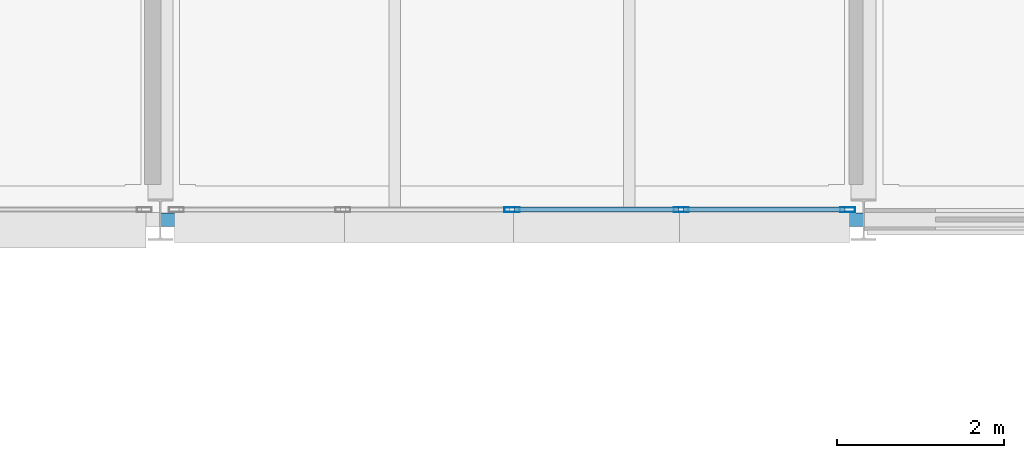
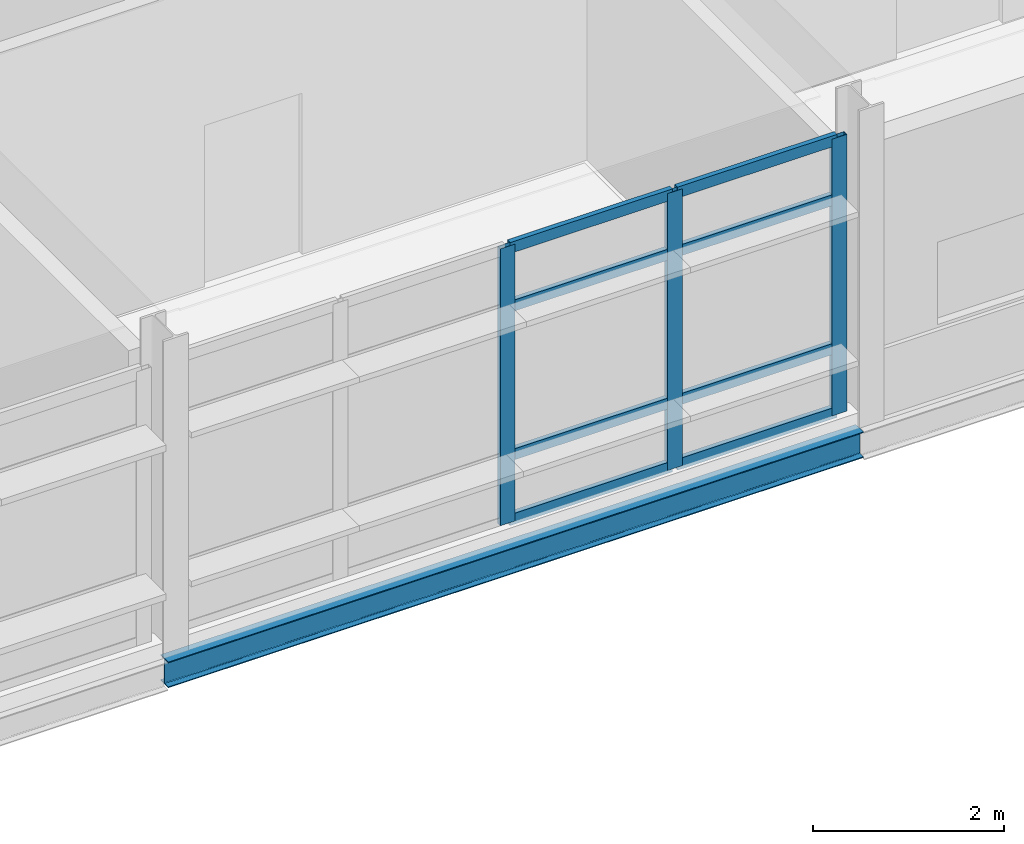
# One storey, part 80 of 131: 11 members, 1 beam, 1 element without a shape of its own.
"""IFC4 building model written with IfcOpenShell, lengths in metres."""

from ifc_helpers import new_model, si_unit, direction, frame, origin, origin_2d, place, context, subcontext, project, spatial, hollow_rectangle, i_section, extrude, material, material_profile, profile_set, type_object, element, aggregate, save


model = new_model("IFC4")

# Units and contexts
model_context = context("Model", 3, precision=1e-05, world=origin(), true_north=direction((0.0, 1.0)))
body_context = subcontext(model_context, "Body", "Model", "MODEL_VIEW")
ifc_project = project(units=[si_unit("LENGTHUNIT", "METRE"), si_unit("AREAUNIT", "SQUARE_METRE"), si_unit("VOLUMEUNIT", "CUBIC_METRE"), si_unit("PLANEANGLEUNIT", "RADIAN"), si_unit("MASSUNIT", "GRAM", prefix="KILO")], contexts=[model_context])

# Site, building, storey
site_placement = place(None, origin())
site = spatial("IfcSite", under=ifc_project, at=site_placement, CompositionType="ELEMENT")
building_placement = place(site_placement, origin())
building = spatial("IfcBuilding", under=site, at=building_placement, Name="Mersafa Astral City Hall", CompositionType="ELEMENT")
storey_placement = place(building_placement, frame((0.0, 0.0, 13.949951171875)))
storey = spatial("IfcBuildingStorey", under=building, at=storey_placement, Name="L03", CompositionType="ELEMENT", Elevation=13.949951171875)

# Curtain wall, members
ifc_material_1 = material(Name="Anodised bronze aluminium framing", Category="aluminium")
curtain_wall_type = type_object("IfcCurtainWallType", Name="ENV-CW-4", PredefinedType="USERDEFINED", material=ifc_material_1)
curtain_wall_placement = place(storey_placement, origin())
curtain_wall = element("IfcCurtainWall", 1, at=curtain_wall_placement, inside=storey, type_object=curtain_wall_type, Name="L03 Unitised solar curtain wall 159", ObjectType="UNITISED CURTAIN WALL", PredefinedType="USERDEFINED")
ifc_material_profile_1 = material_profile(ifc_material_1, hollow_rectangle(XDim=0.06005859375, YDim=0.179931640625, WallThickness=0.00390625, at=origin_2d()), Name="RHS 60x180x4")
ifc_profile_set_1 = profile_set([ifc_material_profile_1], Name="Anodised bronze aluminium framing")
member_type_1 = type_object("IfcMemberType", Name="ENV-CW-MUL-1", PredefinedType="MULLION", material=ifc_profile_set_1)
member_1_placement = place(storey_placement, frame((130.199951171875, 117.719970703125, -0.001953125), z_axis=(0.0, 0.0, 1.0), x_axis=(0.0, 1.0, 0.0)))
member_1 = element("IfcMember", 2, at=member_1_placement, type_object=member_type_1, Name="CW-4 mullion 3", PredefinedType="MULLION", context=body_context, shape_type="SweptSolid", body=[
    extrude(hollow_rectangle(XDim=0.06005859375, YDim=0.179931640625, WallThickness=0.00390625, at=origin_2d()), origin(), (0.0, 0.0, 1.0), 3.533935546875),
])
member_2_placement = place(storey_placement, frame((132.218994140625, 117.719970703125, -0.001953125), z_axis=(0.0, 0.0, 1.0), x_axis=(0.0, 1.0, 0.0)))
member_2 = element("IfcMember", 3, at=member_2_placement, type_object=member_type_1, Name="CW-4 mullion 4", PredefinedType="MULLION", context=body_context, shape_type="SweptSolid", body=[
    extrude(hollow_rectangle(XDim=0.06005859375, YDim=0.179931640625, WallThickness=0.00390625, at=origin_2d()), origin(), (0.0, 0.0, 1.0), 3.533935546875),
])
member_3_placement = place(storey_placement, frame((134.2080078125, 117.719970703125, -0.001953125), z_axis=(0.0, 0.0, 1.0), x_axis=(0.0, 1.0, 0.0)))
member_3 = element("IfcMember", 4, at=member_3_placement, type_object=member_type_1, Name="CW-4 mullion 5", PredefinedType="MULLION", context=body_context, shape_type="SweptSolid", body=[
    extrude(hollow_rectangle(XDim=0.06005859375, YDim=0.179931640625, WallThickness=0.00390625, at=origin_2d()), origin(), (0.0, 0.0, 1.0), 3.533935546875),
])
ifc_material_profile_2 = material_profile(ifc_material_1, hollow_rectangle(XDim=0.06005859375, YDim=0.139892578125, WallThickness=0.00390625, at=origin_2d()), Name="RHS 60x140x4")
ifc_profile_set_2 = profile_set([ifc_material_profile_2], Name="Anodised bronze aluminium framing")
member_type_2 = type_object("IfcMemberType", Name="ENV-CW-TRN-1", PredefinedType="USERDEFINED", material=ifc_profile_set_2)
member_4_placement = place(storey_placement, frame((130.22998046875, 117.719970703125, 0.028076171875), z_axis=(1.0, 0.0, 0.0), x_axis=(0.0, 1.0, 0.0)))
member_4 = element("IfcMember", 5, at=member_4_placement, type_object=member_type_2, Name="CW-4 transom 3.1", ObjectType="TRANSOM", PredefinedType="USERDEFINED", context=body_context, shape_type="SweptSolid", body=[
    extrude(hollow_rectangle(XDim=0.06005859375, YDim=0.139892578125, WallThickness=0.00390625, at=origin_2d()), origin(), (0.0, 0.0, 1.0), 1.958984375),
])
member_5_placement = place(storey_placement, frame((130.22998046875, 117.719970703125, 0.85009765625), z_axis=(1.0, 0.0, 0.0), x_axis=(0.0, 1.0, 0.0)))
member_5 = element("IfcMember", 6, at=member_5_placement, type_object=member_type_2, Name="CW-4 transom 3.2", ObjectType="TRANSOM", PredefinedType="USERDEFINED", context=body_context, shape_type="SweptSolid", body=[
    extrude(hollow_rectangle(XDim=0.06005859375, YDim=0.139892578125, WallThickness=0.00390625, at=origin_2d()), origin(), (0.0, 0.0, 1.0), 1.958984375),
])
member_6_placement = place(storey_placement, frame((130.22998046875, 117.719970703125, 2.75), z_axis=(1.0, 0.0, 0.0), x_axis=(0.0, 1.0, 0.0)))
member_6 = element("IfcMember", 7, at=member_6_placement, type_object=member_type_2, Name="CW-4 transom 3.3", ObjectType="TRANSOM", PredefinedType="USERDEFINED", context=body_context, shape_type="SweptSolid", body=[
    extrude(hollow_rectangle(XDim=0.06005859375, YDim=0.139892578125, WallThickness=0.00390625, at=origin_2d()), origin(), (0.0, 0.0, 1.0), 1.958984375),
])
member_7_placement = place(storey_placement, frame((130.22998046875, 117.719970703125, 3.501953125), z_axis=(1.0, 0.0, 0.0), x_axis=(0.0, 1.0, 0.0)))
member_7 = element("IfcMember", 8, at=member_7_placement, type_object=member_type_2, Name="CW-4 transom 3.4", ObjectType="TRANSOM", PredefinedType="USERDEFINED", context=body_context, shape_type="SweptSolid", body=[
    extrude(hollow_rectangle(XDim=0.06005859375, YDim=0.139892578125, WallThickness=0.00390625, at=origin_2d()), origin(), (0.0, 0.0, 1.0), 1.958984375),
])
member_8_placement = place(storey_placement, frame((132.2490234375, 117.719970703125, 0.028076171875), z_axis=(1.0, 0.0, 0.0), x_axis=(0.0, 1.0, 0.0)))
member_8 = element("IfcMember", 9, at=member_8_placement, type_object=member_type_2, Name="CW-4 transom 4.1", ObjectType="TRANSOM", PredefinedType="USERDEFINED", context=body_context, shape_type="SweptSolid", body=[
    extrude(hollow_rectangle(XDim=0.06005859375, YDim=0.139892578125, WallThickness=0.00390625, at=origin_2d()), origin(), (0.0, 0.0, 1.0), 1.928955078125),
])
member_9_placement = place(storey_placement, frame((132.2490234375, 117.719970703125, 0.85009765625), z_axis=(1.0, 0.0, 0.0), x_axis=(0.0, 1.0, 0.0)))
member_9 = element("IfcMember", 10, at=member_9_placement, type_object=member_type_2, Name="CW-4 transom 4.2", ObjectType="TRANSOM", PredefinedType="USERDEFINED", context=body_context, shape_type="SweptSolid", body=[
    extrude(hollow_rectangle(XDim=0.06005859375, YDim=0.139892578125, WallThickness=0.00390625, at=origin_2d()), origin(), (0.0, 0.0, 1.0), 1.928955078125),
])
member_10_placement = place(storey_placement, frame((132.2490234375, 117.719970703125, 2.75), z_axis=(1.0, 0.0, 0.0), x_axis=(0.0, 1.0, 0.0)))
member_10 = element("IfcMember", 11, at=member_10_placement, type_object=member_type_2, Name="CW-4 transom 4.3", ObjectType="TRANSOM", PredefinedType="USERDEFINED", context=body_context, shape_type="SweptSolid", body=[
    extrude(hollow_rectangle(XDim=0.06005859375, YDim=0.139892578125, WallThickness=0.00390625, at=origin_2d()), origin(), (0.0, 0.0, 1.0), 1.928955078125),
])
member_11_placement = place(storey_placement, frame((132.2490234375, 117.719970703125, 3.501953125), z_axis=(1.0, 0.0, 0.0), x_axis=(0.0, 1.0, 0.0)))
member_11 = element("IfcMember", 12, at=member_11_placement, type_object=member_type_2, Name="CW-4 transom 4.4", ObjectType="TRANSOM", PredefinedType="USERDEFINED", context=body_context, shape_type="SweptSolid", body=[
    extrude(hollow_rectangle(XDim=0.06005859375, YDim=0.139892578125, WallThickness=0.00390625, at=origin_2d()), origin(), (0.0, 0.0, 1.0), 1.928955078125),
])
aggregate(curtain_wall, [member_1, member_2, member_3, member_4, member_5, member_6, member_7, member_8, member_9, member_10, member_11])

# Beam
ifc_material_2 = material(Name="Steel S355", Category="steel")
ifc_material_profile_3 = material_profile(ifc_material_2, i_section(OverallWidth=0.159912109375, OverallDepth=0.330078125, WebThickness=0.007568359375, FlangeThickness=0.011474609375, FilletRadius=0.01806640625, at=origin_2d()), Name="IPE 330")
ifc_profile_set_3 = profile_set([ifc_material_profile_3], Name="Steel S355")
beam_type = type_object("IfcBeamType", Name="STR-BM-SPANDREL-IPE330", PredefinedType="SPANDREL", material=ifc_profile_set_3)
beam_placement = place(storey_placement, frame((126.0029296875, 117.60009765625, -0.364990234375), z_axis=(1.0, 0.0, 0.0), x_axis=(0.0, 1.0, 0.0)))
element("IfcBeam", 13, at=beam_placement, inside=storey, type_object=beam_type, Name="L03 Primary girder X 15-14", PredefinedType="SPANDREL", context=body_context, shape_type="SweptSolid", body=[
    extrude(i_section(OverallWidth=0.159912109375, OverallDepth=0.330078125, WebThickness=0.007568359375, FlangeThickness=0.011474609375, FilletRadius=0.01806640625, at=origin_2d()), origin(), (0.0, 0.0, 1.0), 8.39404296875),
])

save(model, "model.ifc")
